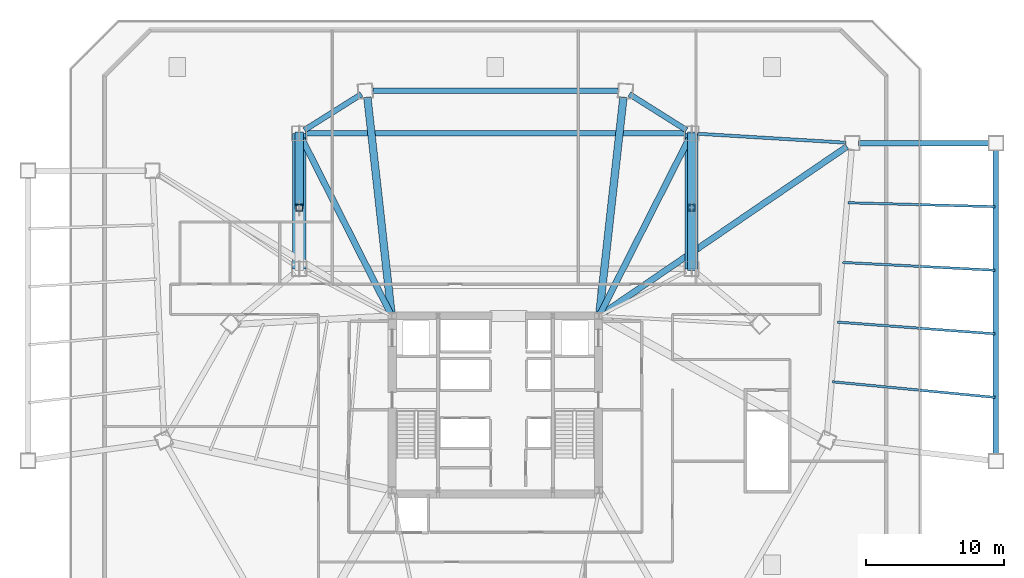
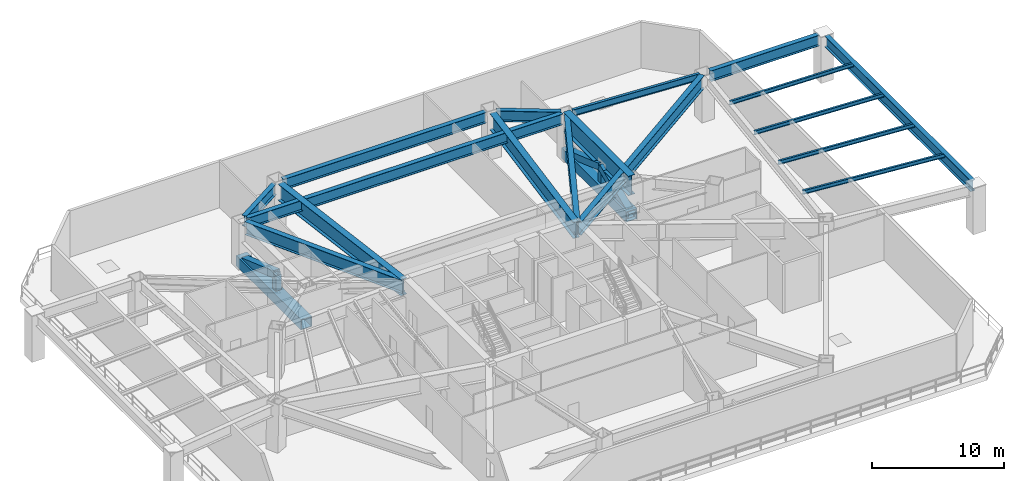
# One storey, part 4 of 13: 17 beams, 7 members.
"""IFC4 building model written with IfcOpenShell, lengths in metres."""

from ifc_helpers import new_model, si_unit, direction, frame, origin, origin_2d, place, context, subcontext, project, spatial, hollow_rectangle, i_section, extrude, source, transform, mapped, material, material_profile, profile_set, type_object, type_shapes, element, save


model = new_model("IFC4")

# Units and contexts
model_context = context("Model", 3, precision=1e-05, world=origin(), true_north=direction((0.0, 1.0)))
body_context = subcontext(model_context, "Body", "Model", "MODEL_VIEW")
ifc_project = project(units=[si_unit("LENGTHUNIT", "METRE"), si_unit("AREAUNIT", "SQUARE_METRE"), si_unit("VOLUMEUNIT", "CUBIC_METRE"), si_unit("PLANEANGLEUNIT", "RADIAN"), si_unit("MASSUNIT", "GRAM", prefix="KILO")], contexts=[model_context])

# Site, building, storey
site_placement = place(None, origin())
site = spatial("IfcSite", under=ifc_project, at=site_placement, CompositionType="ELEMENT")
building_placement = place(site_placement, origin())
building = spatial("IfcBuilding", under=site, at=building_placement, Name="Caelisora Broadcast Tower", CompositionType="ELEMENT")
storey_placement = place(building_placement, frame((0.0, 0.0, 23.10009765625)))
storey = spatial("IfcBuildingStorey", under=building, at=storey_placement, Name="L05", CompositionType="ELEMENT", Elevation=23.10009765625)

# Beams
ifc_material_1 = material(Name="Steel Grade 350 (AS/NZS 3679.2)", Category="steel")
ifc_material_profile_1 = material_profile(ifc_material_1, i_section(OverallWidth=0.39990234375, OverallDepth=1.0, WebThickness=0.01611328125, FlangeThickness=0.028076171875, at=origin_2d()), Name="Steel Grade 350 (AS/NZS 3679.2)")
ifc_profile_set_1 = profile_set([ifc_material_profile_1], Name="Steel Grade 350 (AS/NZS 3679.2)")
beam_type_1 = type_object("IfcBeamType", Name="PG01", PredefinedType="BEAM", material=ifc_profile_set_1)
shared_shape_1 = source(origin(), body_context, "Body", "SweptSolid", [
    extrude(i_section(OverallWidth=0.39990234375, OverallDepth=1.0, WebThickness=0.01611328125, FlangeThickness=0.028076171875, at=origin_2d()), origin(), (0.0, 0.0, 1.0), 17.73291015625),
])
beam_1_placement = place(storey_placement, frame((46.866455078125, 46.27197265625, 3.75), z_axis=(-1.0, 0.0, 0.0), x_axis=(0.0, -1.0, 0.0)))
element("IfcBeam", 1, at=beam_1_placement, inside=storey, type_object=beam_type_1, Name="L05 beam PG01", PredefinedType="BEAM", context=body_context, shape_type="MappedRepresentation", body=[
    mapped(shared_shape_1, transform((0.0, 0.0, 0.0), scale=1.0)),
])
shared_shape_2 = source(origin(), body_context, "Body", "SweptSolid", [
    extrude(i_section(OverallWidth=0.39990234375, OverallDepth=1.0, WebThickness=0.01611328125, FlangeThickness=0.028076171875, at=origin_2d()), origin(), (0.0, 0.0, 1.0), 4.874267578125),
])
for number, where, z_axis, x_axis, name in (
    (2, (28.31201171875, 46.034912109375, 3.75), (-0.84616424681, -0.532922196404, 0.0), (0.532922196404, -0.84616424681, 0.0), "L05 beam PG01"),
    (3, (51.8125, 43.437255859375, 3.75), (-0.84616424681, 0.532922196404, 0.0), (-0.532922196404, -0.84616424681, 0.0), "L05 beam PG01"),
):
    element("IfcBeam", number, at=place(storey_placement, frame(where, z_axis=z_axis, x_axis=x_axis)), inside=storey, type_object=beam_type_1, Name=name, PredefinedType="BEAM", context=body_context, shape_type="MappedRepresentation", body=[
        mapped(shared_shape_2, transform((0.0, 0.0, 0.0), scale=1.0)),
    ])
shared_shape_3 = source(origin(), body_context, "Body", "SweptSolid", [
    extrude(i_section(OverallWidth=0.39990234375, OverallDepth=1.0, WebThickness=0.01611328125, FlangeThickness=0.028076171875, at=origin_2d()), origin(), (0.0, 0.0, 1.0), 9.509765625),
])
beam_2_placement = place(storey_placement, frame((64.2451171875, 42.5, 3.75), z_axis=(1.0, 0.0, 0.0), x_axis=(0.0, 1.0, 0.0)))
element("IfcBeam", 4, at=beam_2_placement, inside=storey, type_object=beam_type_1, Name="L05 beam PG01", PredefinedType="BEAM", context=body_context, shape_type="MappedRepresentation", body=[
    mapped(shared_shape_3, transform((0.0, 0.0, 0.0), scale=1.0)),
])
shared_shape_4 = source(origin(), body_context, "Body", "SweptSolid", [
    extrude(i_section(OverallWidth=0.39990234375, OverallDepth=1.0, WebThickness=0.01611328125, FlangeThickness=0.028076171875, at=origin_2d()), origin(), (0.0, 0.0, 1.0), 22.10986328125),
])
beam_3_placement = place(storey_placement, frame((74.199951171875, 19.945068359375, 3.75), z_axis=(0.0, 1.0, 0.0), x_axis=(-1.0, 0.0, 0.0)))
element("IfcBeam", 5, at=beam_3_placement, inside=storey, type_object=beam_type_1, Name="L05 beam PG01", PredefinedType="BEAM", context=body_context, shape_type="MappedRepresentation", body=[
    mapped(shared_shape_4, transform((0.0, 0.0, 0.0), scale=1.0)),
])
ifc_material_2 = material(Name="Steel Grade 350 (AS/NZS 3679.1)", Category="steel")
ifc_material_profile_2 = material_profile(ifc_material_2, i_section(OverallWidth=0.22900390625, OverallDepth=0.611572265625, WebThickness=0.011962890625, FlangeThickness=0.01953125, at=origin_2d()), Name="Steel Grade 350 (AS/NZS 3679.1)")
ifc_profile_set_2 = profile_set([ifc_material_profile_2], Name="Steel Grade 350 (AS/NZS 3679.1)")
beam_type_2 = type_object("IfcBeamType", Name="PG03", PredefinedType="BEAM", material=ifc_profile_set_2)
shared_shape_5 = source(origin(), body_context, "Body", "SweptSolid", [
    extrude(i_section(OverallWidth=0.22900390625, OverallDepth=0.611572265625, WebThickness=0.011962890625, FlangeThickness=0.01953125, at=origin_2d()), origin(), (0.0, 0.0, 1.0), 10.741943359375),
])
type_shapes(beam_type_2, [shared_shape_5])
beam_4_placement = place(storey_placement, frame((52.63330078125, 43.173095703125, 3.944091796875), z_axis=(0.998188694139, -0.060160875097, 0.0), x_axis=(0.060160875097, 0.998188694139, 0.0)))
element("IfcBeam", 6, at=beam_4_placement, inside=storey, type_object=beam_type_2, Name="L05 beam PG03", PredefinedType="BEAM", context=body_context, shape_type="MappedRepresentation", body=[
    mapped(shared_shape_5, transform((0.0, 0.0, 0.0), scale=1.0)),
])
shared_shape_6 = source(origin(), body_context, "Body", "SweptSolid", [
    extrude(i_section(OverallWidth=0.39990234375, OverallDepth=1.0, WebThickness=0.01611328125, FlangeThickness=0.028076171875, at=origin_2d()), origin(), (0.0, 0.0, 1.0), 27.48779296875),
])
type_shapes(beam_type_1, [shared_shape_1, shared_shape_2, shared_shape_3, shared_shape_4, shared_shape_6])
beam_5_placement = place(storey_placement, frame((24.256103515625, 43.199951171875, 3.75), z_axis=(1.0, 0.0, 0.0), x_axis=(0.0, 1.0, 0.0)))
element("IfcBeam", 7, at=beam_5_placement, inside=storey, type_object=beam_type_1, Name="L05 beam PG01", PredefinedType="BEAM", context=body_context, shape_type="MappedRepresentation", body=[
    mapped(shared_shape_6, transform((0.0, 0.0, 0.0), scale=1.0)),
])
ifc_material_profile_3 = material_profile(ifc_material_2, i_section(OverallWidth=0.172119140625, OverallDepth=0.358642578125, WebThickness=0.008056640625, FlangeThickness=0.012939453125, at=origin_2d()), Name="Steel Grade 350 (AS/NZS 3679.1)")
ifc_profile_set_3 = profile_set([ifc_material_profile_3], Name="Steel Grade 350 (AS/NZS 3679.1)")
beam_type_3 = type_object("IfcBeamType", Name="SB02", PredefinedType="JOIST", material=ifc_profile_set_3)
shared_shape_7 = source(origin(), body_context, "Body", "SweptSolid", [
    extrude(i_section(OverallWidth=0.172119140625, OverallDepth=0.358642578125, WebThickness=0.008056640625, FlangeThickness=0.012939453125, at=origin_2d()), origin(), (0.0, 0.0, 1.0), 11.81982421875),
])
beam_6_placement = place(storey_placement, frame((62.374755859375, 25.23681640625, 4.070556640625), z_axis=(0.995410694073, -0.095695089343, 0.0), x_axis=(0.095695089343, 0.995410694073, 0.0)))
element("IfcBeam", 8, at=beam_6_placement, inside=storey, type_object=beam_type_3, Name="L05 beam SB02", PredefinedType="JOIST", context=body_context, shape_type="MappedRepresentation", body=[
    mapped(shared_shape_7, transform((0.0, 0.0, 0.0), scale=1.0)),
])
shared_shape_8 = source(origin(), body_context, "Body", "SweptSolid", [
    extrude(i_section(OverallWidth=0.172119140625, OverallDepth=0.358642578125, WebThickness=0.008056640625, FlangeThickness=0.012939453125, at=origin_2d()), origin(), (0.0, 0.0, 1.0), 11.425537109375),
])
beam_7_placement = place(storey_placement, frame((62.74609375, 29.55224609375, 4.070556640625), z_axis=(0.997244149414, -0.074189665455, 0.0), x_axis=(0.074189665455, 0.997244149414, 0.0)))
element("IfcBeam", 9, at=beam_7_placement, inside=storey, type_object=beam_type_3, Name="L05 beam SB02", PredefinedType="JOIST", context=body_context, shape_type="MappedRepresentation", body=[
    mapped(shared_shape_8, transform((0.0, 0.0, 0.0), scale=1.0)),
])
shared_shape_9 = source(origin(), body_context, "Body", "SweptSolid", [
    extrude(i_section(OverallWidth=0.172119140625, OverallDepth=0.358642578125, WebThickness=0.008056640625, FlangeThickness=0.012939453125, at=origin_2d()), origin(), (0.0, 0.0, 1.0), 11.037109375),
])
beam_8_placement = place(storey_placement, frame((63.117431640625, 33.8681640625, 4.070556640625), z_axis=(0.998688040574, -0.051207398036, 0.0), x_axis=(0.051207398036, 0.998688040574, 0.0)))
element("IfcBeam", 10, at=beam_8_placement, inside=storey, type_object=beam_type_3, Name="L05 beam SB02", PredefinedType="JOIST", context=body_context, shape_type="MappedRepresentation", body=[
    mapped(shared_shape_9, transform((0.0, 0.0, 0.0), scale=1.0)),
])
shared_shape_10 = source(origin(), body_context, "Body", "SweptSolid", [
    extrude(i_section(OverallWidth=0.172119140625, OverallDepth=0.358642578125, WebThickness=0.008056640625, FlangeThickness=0.012939453125, at=origin_2d()), origin(), (0.0, 0.0, 1.0), 10.65478515625),
])
type_shapes(beam_type_3, [shared_shape_7, shared_shape_8, shared_shape_9, shared_shape_10])
beam_9_placement = place(storey_placement, frame((63.48876953125, 38.18408203125, 4.070556640625), z_axis=(0.999648522921, -0.026510952874, 0.0), x_axis=(0.026510952874, 0.999648522921, 0.0)))
element("IfcBeam", 11, at=beam_9_placement, inside=storey, type_object=beam_type_3, Name="L05 beam SB02", PredefinedType="JOIST", context=body_context, shape_type="MappedRepresentation", body=[
    mapped(shared_shape_10, transform((0.0, 0.0, 0.0), scale=1.0)),
])
ifc_material_profile_4 = material_profile(ifc_material_1, i_section(OverallWidth=0.60009765625, OverallDepth=1.800048828125, WebThickness=0.02490234375, FlangeThickness=0.0400390625, at=origin_2d()), Name="Steel Grade 350 (AS/NZS 3679.2)")
ifc_profile_set_4 = profile_set([ifc_material_profile_4], Name="Steel Grade 350 (AS/NZS 3679.2)")
beam_type_4 = type_object("IfcBeamType", Name="TG01", PredefinedType="BEAM", material=ifc_profile_set_4)
shared_shape_11 = source(origin(), body_context, "Body", "SweptSolid", [
    extrude(i_section(OverallWidth=0.60009765625, OverallDepth=1.800048828125, WebThickness=0.02490234375, FlangeThickness=0.0400390625, at=origin_2d()), origin(), (0.0, 0.0, 1.0), 9.800048828125),
])
type_shapes(beam_type_4, [shared_shape_11])
beam_10_placement = place(storey_placement, frame((52.18896484375, 33.39990234375, 3.349853515625), z_axis=(0.0, 1.0, 0.0), x_axis=(-1.0, 0.0, 0.0)))
element("IfcBeam", 12, at=beam_10_placement, inside=storey, type_object=beam_type_4, Name="L05 beam TG01", PredefinedType="BEAM", context=body_context, shape_type="MappedRepresentation", body=[
    mapped(shared_shape_11, transform((0.0, 0.0, 0.0), scale=1.0)),
])

# Members
ifc_material_3 = material(Name="Steel Grade 350 L15 (AS/NZS 3678)", Category="steel")
ifc_material_profile_5 = material_profile(ifc_material_3, hollow_rectangle(XDim=0.949951171875, YDim=0.949951171875, WallThickness=0.050048828125, at=origin_2d()), Name="Steel Grade 350 L15 (AS/NZS 3678)")
ifc_profile_set_5 = profile_set([ifc_material_profile_5], Name="Steel Grade 350 L15 (AS/NZS 3678)")
member_type_1 = type_object("IfcMemberType", Name="TR11", PredefinedType="CHORD", material=ifc_profile_set_5)
shared_shape_12 = source(origin(), body_context, "Body", "SweptSolid", [
    extrude(hollow_rectangle(XDim=0.949951171875, YDim=0.949951171875, WallThickness=0.050048828125, at=origin_2d()), origin(), (0.0, 0.0, 1.0), 9.800048828125),
])
type_shapes(member_type_1, [shared_shape_12])
for number, where, z_axis, x_axis, name in (
    (13, (23.81103515625, 33.39990234375, 0.5498046875), (0.0, 1.0, 0.0), (-1.0, 0.0, 0.0), "L05 transfer chord TR11"),
    (14, (52.18896484375, 33.39990234375, 0.5498046875), (0.0, 1.0, 0.0), (-1.0, 0.0, 0.0), "L05 transfer chord TR11"),
):
    element("IfcMember", number, at=place(storey_placement, frame(where, z_axis=z_axis, x_axis=x_axis)), inside=storey, type_object=member_type_1, Name=name, PredefinedType="CHORD", context=body_context, shape_type="MappedRepresentation", body=[
        mapped(shared_shape_12, transform((0.0, 0.0, 0.0), scale=1.0)),
    ])
ifc_material_profile_6 = material_profile(ifc_material_3, hollow_rectangle(XDim=0.5, YDim=0.5, WallThickness=0.02001953125, at=origin_2d()), Name="Steel Grade 350 L15 (AS/NZS 3678)")
ifc_profile_set_6 = profile_set([ifc_material_profile_6], Name="Steel Grade 350 L15 (AS/NZS 3678)")
member_type_2 = type_object("IfcMemberType", Name="TR13", PredefinedType="POST", material=ifc_profile_set_6)
shared_shape_13 = source(origin(), body_context, "Body", "SweptSolid", [
    extrude(hollow_rectangle(XDim=0.5, YDim=0.5, WallThickness=0.02001953125, at=origin_2d()), origin(), (0.0, 0.0, 1.0), 1.900146484375),
])
type_shapes(member_type_2, [shared_shape_13])
for number, where, z_axis, x_axis, name in (
    (15, (23.81103515625, 37.823974609375, 0.5498046875), (0.0, 0.0, 1.0), (1.0, 0.0, 0.0), "L05 transfer post TR13"),
    (16, (52.18896484375, 37.823974609375, 0.5498046875), (0.0, 0.0, 1.0), (1.0, 0.0, 0.0), "L05 transfer post TR13"),
):
    element("IfcMember", number, at=place(storey_placement, frame(where, z_axis=z_axis, x_axis=x_axis)), inside=storey, type_object=member_type_2, Name=name, PredefinedType="POST", context=body_context, shape_type="MappedRepresentation", body=[
        mapped(shared_shape_13, transform((0.0, 0.0, 0.0), scale=1.0)),
    ])
ifc_material_4 = material(Name="Steel Grade 450 L15 (AS/NZS 3678)", Category="steel")
ifc_material_profile_7 = material_profile(ifc_material_4, hollow_rectangle(XDim=0.60009765625, YDim=0.60009765625, WallThickness=0.02490234375, at=origin_2d()), Name="Steel Grade 450 L15 (AS/NZS 3678)")
ifc_profile_set_7 = profile_set([ifc_material_profile_7], Name="Steel Grade 450 L15 (AS/NZS 3678)")
member_type_3 = type_object("IfcMemberType", Name="TR12", PredefinedType="STRUT", material=ifc_profile_set_7)
shared_shape_14 = source(origin(), body_context, "Body", "SweptSolid", [
    extrude(hollow_rectangle(XDim=0.60009765625, YDim=0.60009765625, WallThickness=0.02490234375, at=origin_2d()), origin(), (0.0, 0.0, 1.0), 4.81494140625),
])
member_placement = place(storey_placement, frame((52.18896484375, 33.39990234375, 0.5498046875), z_axis=(0.0, 0.918835267656, 0.394641293977), x_axis=(-1.0, 0.0, 0.0)))
element("IfcMember", 17, at=member_placement, inside=storey, type_object=member_type_3, Name="L05 transfer diagonal TR12", PredefinedType="STRUT", context=body_context, shape_type="MappedRepresentation", body=[
    mapped(shared_shape_14, transform((0.0, 0.0, 0.0), scale=1.0)),
])
shared_shape_15 = source(origin(), body_context, "Body", "SweptSolid", [
    extrude(hollow_rectangle(XDim=0.60009765625, YDim=0.60009765625, WallThickness=0.02490234375, at=origin_2d()), origin(), (0.0, 0.0, 1.0), 5.701904296875),
])
type_shapes(member_type_3, [shared_shape_14, shared_shape_15])
for number, where, z_axis, x_axis, name in (
    (18, (23.81103515625, 43.199951171875, 0.5498046875), (0.0, -0.942839255797, 0.333247862301), (1.0, 0.0, 0.0), "L05 transfer diagonal TR12"),
    (19, (52.18896484375, 43.199951171875, 0.5498046875), (0.0, -0.942839255797, 0.333247862301), (1.0, 0.0, 0.0), "L05 transfer diagonal TR12"),
):
    element("IfcMember", number, at=place(storey_placement, frame(where, z_axis=z_axis, x_axis=x_axis)), inside=storey, type_object=member_type_3, Name=name, PredefinedType="STRUT", context=body_context, shape_type="MappedRepresentation", body=[
        mapped(shared_shape_15, transform((0.0, 0.0, 0.0), scale=1.0)),
    ])

# Beams
ifc_material_profile_8 = material_profile(ifc_material_1, i_section(OverallWidth=0.550048828125, OverallDepth=1.5, WebThickness=0.02197265625, FlangeThickness=0.035888671875, at=origin_2d()), Name="Steel Grade 350 (AS/NZS 3679.2)")
ifc_profile_set_8 = profile_set([ifc_material_profile_8], Name="Steel Grade 350 (AS/NZS 3679.2)")
beam_type_5 = type_object("IfcBeamType", Name="TG02", PredefinedType="BEAM", material=ifc_profile_set_8)
shared_shape_16 = source(origin(), body_context, "Body", "SweptSolid", [
    extrude(i_section(OverallWidth=0.550048828125, OverallDepth=1.5, WebThickness=0.02197265625, FlangeThickness=0.035888671875, at=origin_2d()), origin(), (0.0, 0.0, 1.0), 15.722412109375),
])
type_shapes(beam_type_5, [shared_shape_16])
for number, where, z_axis, x_axis, name in (
    (20, (28.73828125, 45.82470703125, 3.5), (0.1106377445, -0.993860799857, 0.0), (0.993860799857, 0.1106377445, 0.0), "L05 beam TG02"),
    (21, (47.26171875, 45.82470703125, 3.5), (-0.1106377445, -0.993860799857, 0.0), (0.993860799857, -0.1106377445, 0.0), "L05 beam TG02"),
):
    element("IfcBeam", number, at=place(storey_placement, frame(where, z_axis=z_axis, x_axis=x_axis)), inside=storey, type_object=beam_type_5, Name=name, PredefinedType="BEAM", context=body_context, shape_type="MappedRepresentation", body=[
        mapped(shared_shape_16, transform((0.0, 0.0, 0.0), scale=1.0)),
    ])
ifc_material_profile_9 = material_profile(ifc_material_1, i_section(OverallWidth=0.449951171875, OverallDepth=1.199951171875, WebThickness=0.02001953125, FlangeThickness=0.031982421875, at=origin_2d()), Name="Steel Grade 350 (AS/NZS 3679.2)")
ifc_profile_set_9 = profile_set([ifc_material_profile_9], Name="Steel Grade 350 (AS/NZS 3679.2)")
beam_type_6 = type_object("IfcBeamType", Name="TG03", PredefinedType="BEAM", material=ifc_profile_set_9)
shared_shape_17 = source(origin(), body_context, "Body", "SweptSolid", [
    extrude(i_section(OverallWidth=0.449951171875, OverallDepth=1.199951171875, WebThickness=0.02001953125, FlangeThickness=0.031982421875, at=origin_2d()), origin(), (0.0, 0.0, 1.0), 14.14794921875),
])
for number, where, z_axis, x_axis, name in (
    (22, (24.014404296875, 42.798583984375, 3.64990234375), (0.452025026374, -0.892005255328, 0.0), (0.892005255328, 0.452025026374, 0.0), "L05 beam TG03"),
    (23, (51.985595703125, 42.798583984375, 3.64990234375), (-0.452025026374, -0.892005255328, 0.0), (0.892005255328, -0.452025026374, 0.0), "L05 beam TG03"),
):
    element("IfcBeam", number, at=place(storey_placement, frame(where, z_axis=z_axis, x_axis=x_axis)), inside=storey, type_object=beam_type_6, Name=name, PredefinedType="BEAM", context=body_context, shape_type="MappedRepresentation", body=[
        mapped(shared_shape_17, transform((0.0, 0.0, 0.0), scale=1.0)),
    ])
shared_shape_18 = source(origin(), body_context, "Body", "SweptSolid", [
    extrude(i_section(OverallWidth=0.449951171875, OverallDepth=1.199951171875, WebThickness=0.02001953125, FlangeThickness=0.031982421875, at=origin_2d()), origin(), (0.0, 0.0, 1.0), 21.51171875),
])
type_shapes(beam_type_6, [shared_shape_17, shared_shape_18])
beam_11_placement = place(storey_placement, frame((63.428466796875, 42.24609375, 3.64990234375), z_axis=(-0.825753795929, -0.564030733656, 0.0), x_axis=(0.564030733656, -0.825753795929, 0.0)))
element("IfcBeam", 24, at=beam_11_placement, inside=storey, type_object=beam_type_6, Name="L05 beam TG03", PredefinedType="BEAM", context=body_context, shape_type="MappedRepresentation", body=[
    mapped(shared_shape_18, transform((0.0, 0.0, 0.0), scale=1.0)),
])

save(model, "model.ifc")
